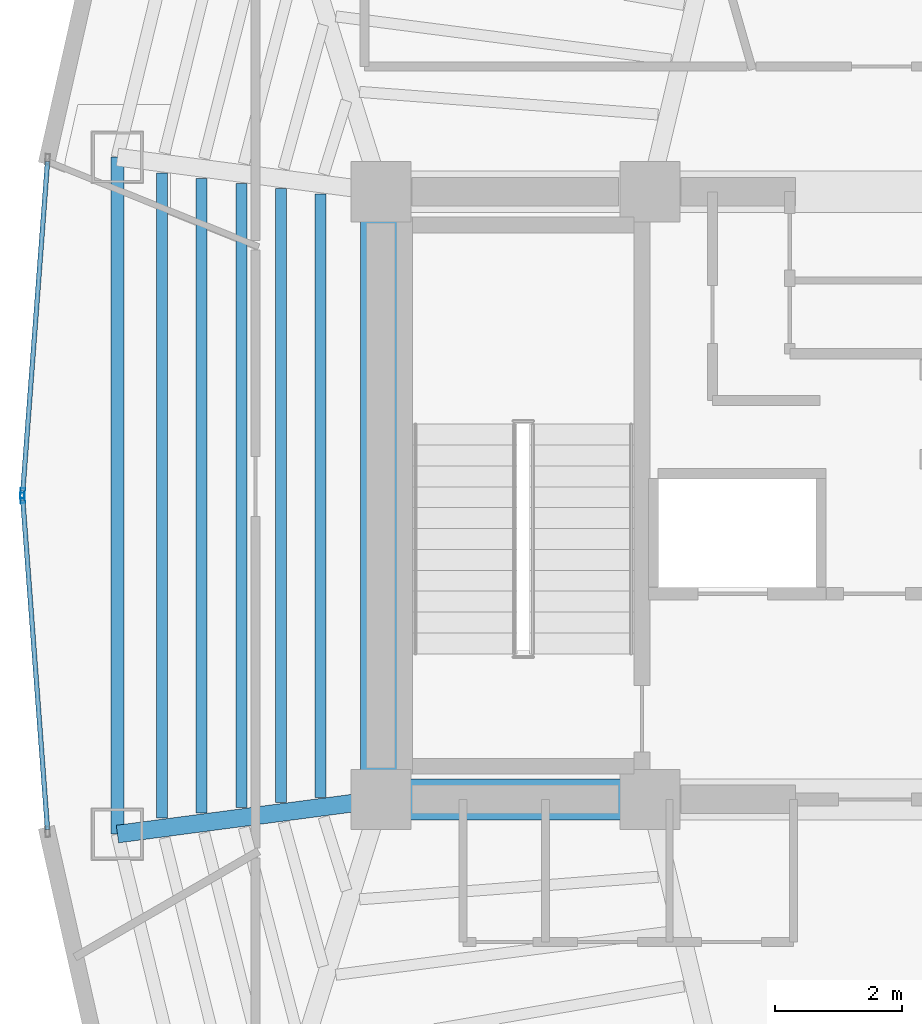
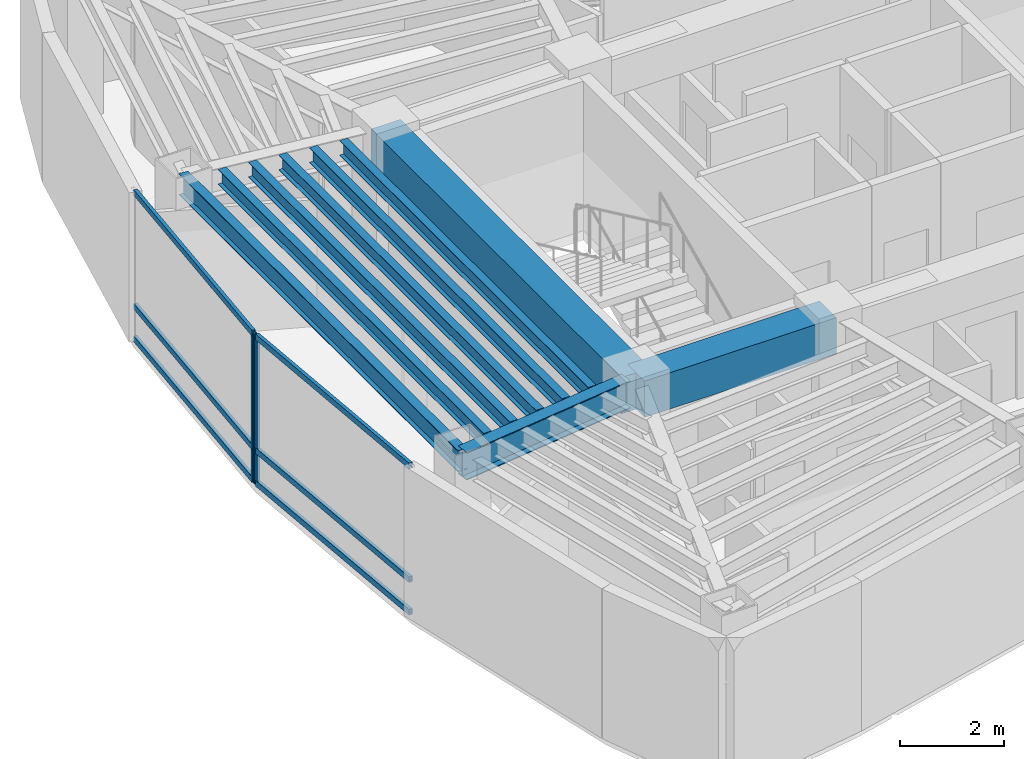
# One storey, part 4 of 15: 9 beams, 8 members, 2 elements without a shape of their own.
"""IFC4 building model written with IfcOpenShell, lengths in metres."""

from ifc_helpers import new_model, si_unit, direction, frame, origin, origin_2d, place, context, subcontext, project, spatial, rectangle, hollow_rectangle, i_section, extrude, material, layer, layer_set, material_profile, profile_set, type_object, element, aggregate, save


model = new_model("IFC4")

# Units and contexts
model_context = context("Model", 3, precision=1e-05, world=origin(), true_north=direction((0.0, 1.0)))
body_context = subcontext(model_context, "Body", "Model", "MODEL_VIEW")
ifc_project = project(units=[si_unit("LENGTHUNIT", "METRE"), si_unit("AREAUNIT", "SQUARE_METRE"), si_unit("VOLUMEUNIT", "CUBIC_METRE"), si_unit("PLANEANGLEUNIT", "RADIAN"), si_unit("MASSUNIT", "GRAM", prefix="KILO")], contexts=[model_context])

# Site, building, storey
site_placement = place(None, origin())
site = spatial("IfcSite", under=ifc_project, at=site_placement, CompositionType="ELEMENT")
building_placement = place(site_placement, origin())
building = spatial("IfcBuilding", under=site, at=building_placement, Name="Menara Vayukalpa", CompositionType="ELEMENT")
storey_placement = place(building_placement, frame((0.0, 0.0, 288.06005859375)))
storey = spatial("IfcBuildingStorey", under=building, at=storey_placement, Name="L73", CompositionType="ELEMENT", Elevation=288.06005859375)

# Beams
ifc_material_1 = material(Name="Concrete C60/75", Category="concrete")
ifc_material_profile_1 = material_profile(ifc_material_1, rectangle(XDim=0.64990234375, YDim=0.85009765625, at=origin_2d()), Name="RC 650x850")
ifc_profile_set_1 = profile_set([ifc_material_profile_1], Name="Concrete C60/75")
beam_type_1 = type_object("IfcBeamType", Name="BM-CB1", PredefinedType="BEAM", material=ifc_profile_set_1)
beam_1_placement = place(storey_placement, frame((17.800048828125, 17.199951171875, 3.074951171875), z_axis=(1.0, 0.0, 0.0), x_axis=(0.0, 1.0, 0.0)))
element("IfcBeam", 1, at=beam_1_placement, inside=storey, type_object=beam_type_1, Name="L73 Core Tie Beam CBR1", PredefinedType="BEAM", context=body_context, shape_type="SweptSolid", body=[
    extrude(rectangle(XDim=0.64990234375, YDim=0.85009765625, at=origin_2d()), origin(), (0.0, 0.0, 1.0), 4.25),
])
beam_2_placement = place(storey_placement, frame((17.800048828125, 17.199951171875, 3.074951171875), z_axis=(0.0, 1.0, 0.0), x_axis=(-1.0, 0.0, 0.0)))
element("IfcBeam", 2, at=beam_2_placement, inside=storey, type_object=beam_type_1, Name="L73 Core Tie Beam CBR7", PredefinedType="BEAM", context=body_context, shape_type="SweptSolid", body=[
    extrude(rectangle(XDim=0.64990234375, YDim=0.85009765625, at=origin_2d()), origin(), (0.0, 0.0, 1.0), 9.60009765625),
])
ifc_material_2 = material(Name="Steel S355", Category="steel")
ifc_material_profile_2 = material_profile(ifc_material_2, i_section(OverallWidth=0.280029296875, OverallDepth=0.64990234375, WebThickness=0.012939453125, FlangeThickness=0.02197265625, at=origin_2d()), Name="WF 650x280x13x22")
ifc_profile_set_2 = profile_set([ifc_material_profile_2], Name="Steel S355")
beam_type_2 = type_object("IfcBeamType", Name="BM-PG6", PredefinedType="BEAM", material=ifc_profile_set_2)
beam_3_placement = place(storey_placement, frame((17.552001953125, 17.16748046875, 3.175048828125), z_axis=(-0.991477860763, -0.130275291662, 0.0), x_axis=(0.130275291662, -0.991477860763, 0.0)))
element("IfcBeam", 3, at=beam_3_placement, inside=storey, type_object=beam_type_2, Name="L73 Primary Radial Girder RG06", PredefinedType="BEAM", context=body_context, shape_type="SweptSolid", body=[
    extrude(i_section(OverallWidth=0.280029296875, OverallDepth=0.64990234375, WebThickness=0.012939453125, FlangeThickness=0.02197265625, at=origin_2d()), origin(), (0.0, 0.0, 1.0), 3.94677734375),
])
ifc_material_3 = material(Name="Steel S355", Category="steel")
ifc_material_profile_3 = material_profile(ifc_material_3, i_section(OverallWidth=0.175048828125, OverallDepth=0.35009765625, WebThickness=0.007080078125, FlangeThickness=0.010986328125, at=origin_2d()), Name="WF 350x175x7x11")
ifc_profile_set_3 = profile_set([ifc_material_profile_3], Name="Steel S355")
beam_type_3 = type_object("IfcBeamType", Name="BM-SJ3", PredefinedType="JOIST", material=ifc_profile_set_3)
beam_4_placement = place(storey_placement, frame((16.84765625, 26.76513671875, 3.324951171875), z_axis=(0.0, -1.0, 0.0), x_axis=(1.0, 0.0, 0.0)))
element("IfcBeam", 4, at=beam_4_placement, inside=storey, type_object=beam_type_3, Name="L73 Secondary Floor Joist SJ05-1", PredefinedType="JOIST", context=body_context, shape_type="SweptSolid", body=[
    extrude(i_section(OverallWidth=0.175048828125, OverallDepth=0.35009765625, WebThickness=0.007080078125, FlangeThickness=0.010986328125, at=origin_2d()), origin(), (0.0, 0.0, 1.0), 9.5302734375),
])
beam_5_placement = place(storey_placement, frame((16.2216796875, 26.847412109375, 3.324951171875), z_axis=(0.0, -1.0, 0.0), x_axis=(1.0, 0.0, 0.0)))
element("IfcBeam", 5, at=beam_5_placement, inside=storey, type_object=beam_type_3, Name="L73 Secondary Floor Joist SJ05-2", PredefinedType="JOIST", context=body_context, shape_type="SweptSolid", body=[
    extrude(i_section(OverallWidth=0.175048828125, OverallDepth=0.35009765625, WebThickness=0.007080078125, FlangeThickness=0.010986328125, at=origin_2d()), origin(), (0.0, 0.0, 1.0), 9.69482421875),
])
beam_6_placement = place(storey_placement, frame((15.595458984375, 26.9296875, 3.324951171875), z_axis=(0.0, -1.0, 0.0), x_axis=(1.0, 0.0, 0.0)))
element("IfcBeam", 6, at=beam_6_placement, inside=storey, type_object=beam_type_3, Name="L73 Secondary Floor Joist SJ05-3", PredefinedType="JOIST", context=body_context, shape_type="SweptSolid", body=[
    extrude(i_section(OverallWidth=0.175048828125, OverallDepth=0.35009765625, WebThickness=0.007080078125, FlangeThickness=0.010986328125, at=origin_2d()), origin(), (0.0, 0.0, 1.0), 9.859375),
])
beam_7_placement = place(storey_placement, frame((14.969482421875, 27.011962890625, 3.324951171875), z_axis=(0.0, -1.0, 0.0), x_axis=(1.0, 0.0, 0.0)))
element("IfcBeam", 7, at=beam_7_placement, inside=storey, type_object=beam_type_3, Name="L73 Secondary Floor Joist SJ05-4", PredefinedType="JOIST", context=body_context, shape_type="SweptSolid", body=[
    extrude(i_section(OverallWidth=0.175048828125, OverallDepth=0.35009765625, WebThickness=0.007080078125, FlangeThickness=0.010986328125, at=origin_2d()), origin(), (0.0, 0.0, 1.0), 10.02392578125),
])
beam_8_placement = place(storey_placement, frame((14.343505859375, 27.09423828125, 3.324951171875), z_axis=(0.0, -1.0, 0.0), x_axis=(1.0, 0.0, 0.0)))
element("IfcBeam", 8, at=beam_8_placement, inside=storey, type_object=beam_type_3, Name="L73 Secondary Floor Joist SJ05-5", PredefinedType="JOIST", context=body_context, shape_type="SweptSolid", body=[
    extrude(i_section(OverallWidth=0.175048828125, OverallDepth=0.35009765625, WebThickness=0.007080078125, FlangeThickness=0.010986328125, at=origin_2d()), origin(), (0.0, 0.0, 1.0), 10.1884765625),
])
ifc_material_4 = material(Name="Steel S355", Category="steel")
ifc_material_profile_4 = material_profile(ifc_material_4, i_section(OverallWidth=0.199951171875, OverallDepth=0.5, WebThickness=0.010009765625, FlangeThickness=0.01611328125, at=origin_2d()), Name="WF 500x200x10x16")
ifc_profile_set_4 = profile_set([ifc_material_profile_4], Name="Steel S355")
beam_type_4 = type_object("IfcBeamType", Name="BM-SP3", PredefinedType="SPANDREL", material=ifc_profile_set_4)
beam_9_placement = place(storey_placement, frame((13.638916015625, 27.3466796875, 3.25), z_axis=(0.0, -1.0, 0.0), x_axis=(1.0, 0.0, 0.0)))
element("IfcBeam", 9, at=beam_9_placement, inside=storey, type_object=beam_type_4, Name="L73 Perimeter Spandrel Beam SP05", PredefinedType="SPANDREL", context=body_context, shape_type="SweptSolid", body=[
    extrude(i_section(OverallWidth=0.199951171875, OverallDepth=0.5, WebThickness=0.010009765625, FlangeThickness=0.01611328125, at=origin_2d()), origin(), (0.0, 0.0, 1.0), 10.693359375),
])

# Curtain wall, member
ifc_material_5 = material(Name="Anodised Terracotta Aluminium Alloy 6063-T6", Category="masonry")
ifc_layer = layer(ifc_material_5, 0.1650390625)
ifc_layer_set = layer_set([ifc_layer], Name="Anodised Terracotta Aluminium Alloy 6063-T6")
curtain_wall_type = type_object("IfcCurtainWallType", Name="CW-CW6", PredefinedType="USERDEFINED", material=ifc_layer_set)
curtain_wall_1_placement = place(storey_placement, origin())
curtain_wall_1 = element("IfcCurtainWall", 10, at=curtain_wall_1_placement, inside=storey, type_object=curtain_wall_type, Name="L73 Observation and Executive Curtain Wall CW6 10", ObjectType="UNITISED", PredefinedType="USERDEFINED")
ifc_material_6 = material(Name="Anodised Terracotta Aluminium Alloy 6063-T6", Category="masonry")
ifc_material_profile_5 = material_profile(ifc_material_6, hollow_rectangle(XDim=0.070068359375, YDim=0.1650390625, WallThickness=0.00390625, at=origin_2d()), Name="ALU 70x165x4")
ifc_profile_set_5 = profile_set([ifc_material_profile_5], Name="Anodised Terracotta Aluminium Alloy 6063-T6")
member_type_1 = type_object("IfcMemberType", Name="CWM-CW6", PredefinedType="MULLION", material=ifc_profile_set_5)
member_1_placement = place(storey_placement, frame((12.140625, 22.034912109375, 0.0), z_axis=(0.0, 0.0, 1.0), x_axis=(0.997199344663, -0.074789484574, 0.0)))
member_1 = element("IfcMember", 11, at=member_1_placement, type_object=member_type_1, Name="CW6 mullion 2", PredefinedType="MULLION", context=body_context, shape_type="SweptSolid", body=[
    extrude(hollow_rectangle(XDim=0.070068359375, YDim=0.1650390625, WallThickness=0.00390625, at=origin_2d()), origin(), (0.0, 0.0, 1.0), 3.5),
])

curtain_wall_2_placement = place(storey_placement, origin())
curtain_wall_2 = element("IfcCurtainWall", 12, at=curtain_wall_2_placement, inside=storey, type_object=curtain_wall_type, Name="L73 Observation and Executive Curtain Wall CW6 11", ObjectType="UNITISED", PredefinedType="USERDEFINED")
member_2_placement = place(storey_placement, frame((12.140625, 21.965087890625, 0.0), z_axis=(0.0, 0.0, 1.0), x_axis=(0.997199344663, 0.074789484574, 0.0)))
member_2 = element("IfcMember", 13, at=member_2_placement, type_object=member_type_1, Name="CW6 mullion 1", PredefinedType="MULLION", context=body_context, shape_type="SweptSolid", body=[
    extrude(hollow_rectangle(XDim=0.070068359375, YDim=0.1650390625, WallThickness=0.00390625, at=origin_2d()), origin(), (0.0, 0.0, 1.0), 3.5),
])

# Member
ifc_material_7 = material(Name="Anodised Terracotta Aluminium Alloy 6063-T6", Category="masonry")
ifc_material_profile_6 = material_profile(ifc_material_7, hollow_rectangle(XDim=0.074951171875, YDim=0.135009765625, WallThickness=0.00390625, at=origin_2d()), Name="ALU 75x135x4")
ifc_profile_set_6 = profile_set([ifc_material_profile_6], Name="Anodised Terracotta Aluminium Alloy 6063-T6")
member_type_2 = type_object("IfcMemberType", Name="CWT-CW6", PredefinedType="USERDEFINED", material=ifc_profile_set_6)
member_3_placement = place(storey_placement, frame((12.53369140625, 27.27685546875, 0.037353515625), z_axis=(-0.074762051827, -0.997201401727, 0.0), x_axis=(0.997201401727, -0.074762051827, 0.0)))
member_3 = element("IfcMember", 14, at=member_3_placement, type_object=member_type_2, Name="CW6 transom 1.1", ObjectType="TRANSOM", PredefinedType="USERDEFINED", context=body_context, shape_type="SweptSolid", body=[
    extrude(hollow_rectangle(XDim=0.074951171875, YDim=0.135009765625, WallThickness=0.00390625, at=origin_2d()), origin(), (0.0, 0.0, 1.0), 5.2216796875),
])

member_4_placement = place(storey_placement, frame((12.53369140625, 27.27685546875, 0.800048828125), z_axis=(-0.074762051827, -0.997201401727, 0.0), x_axis=(0.997201401727, -0.074762051827, 0.0)))
member_4 = element("IfcMember", 15, at=member_4_placement, type_object=member_type_2, Name="CW6 transom 1.2", ObjectType="TRANSOM", PredefinedType="USERDEFINED", context=body_context, shape_type="SweptSolid", body=[
    extrude(hollow_rectangle(XDim=0.074951171875, YDim=0.135009765625, WallThickness=0.00390625, at=origin_2d()), origin(), (0.0, 0.0, 1.0), 5.2216796875),
])

member_5_placement = place(storey_placement, frame((12.53369140625, 27.27685546875, 3.46240234375), z_axis=(-0.074762051827, -0.997201401727, 0.0), x_axis=(0.997201401727, -0.074762051827, 0.0)))
member_5 = element("IfcMember", 16, at=member_5_placement, type_object=member_type_2, Name="CW6 transom 1.3", ObjectType="TRANSOM", PredefinedType="USERDEFINED", context=body_context, shape_type="SweptSolid", body=[
    extrude(hollow_rectangle(XDim=0.074951171875, YDim=0.135009765625, WallThickness=0.00390625, at=origin_2d()), origin(), (0.0, 0.0, 1.0), 5.2216796875),
])

aggregate(curtain_wall_1, [member_1, member_3, member_4, member_5])

member_6_placement = place(storey_placement, frame((12.143310546875, 21.93017578125, 0.037353515625), z_axis=(0.074762051827, -0.997201401727, 0.0), x_axis=(0.997201401727, 0.074762051827, 0.0)))
member_6 = element("IfcMember", 17, at=member_6_placement, type_object=member_type_2, Name="CW6 transom 1.1", ObjectType="TRANSOM", PredefinedType="USERDEFINED", context=body_context, shape_type="SweptSolid", body=[
    extrude(hollow_rectangle(XDim=0.074951171875, YDim=0.135009765625, WallThickness=0.00390625, at=origin_2d()), origin(), (0.0, 0.0, 1.0), 5.2216796875),
])

member_7_placement = place(storey_placement, frame((12.143310546875, 21.93017578125, 0.800048828125), z_axis=(0.074762051827, -0.997201401727, 0.0), x_axis=(0.997201401727, 0.074762051827, 0.0)))
member_7 = element("IfcMember", 18, at=member_7_placement, type_object=member_type_2, Name="CW6 transom 1.2", ObjectType="TRANSOM", PredefinedType="USERDEFINED", context=body_context, shape_type="SweptSolid", body=[
    extrude(hollow_rectangle(XDim=0.074951171875, YDim=0.135009765625, WallThickness=0.00390625, at=origin_2d()), origin(), (0.0, 0.0, 1.0), 5.2216796875),
])

member_8_placement = place(storey_placement, frame((12.143310546875, 21.93017578125, 3.46240234375), z_axis=(0.074762051827, -0.997201401727, 0.0), x_axis=(0.997201401727, 0.074762051827, 0.0)))
member_8 = element("IfcMember", 19, at=member_8_placement, type_object=member_type_2, Name="CW6 transom 1.3", ObjectType="TRANSOM", PredefinedType="USERDEFINED", context=body_context, shape_type="SweptSolid", body=[
    extrude(hollow_rectangle(XDim=0.074951171875, YDim=0.135009765625, WallThickness=0.00390625, at=origin_2d()), origin(), (0.0, 0.0, 1.0), 5.2216796875),
])

aggregate(curtain_wall_2, [member_2, member_6, member_7, member_8])

save(model, "model.ifc")
